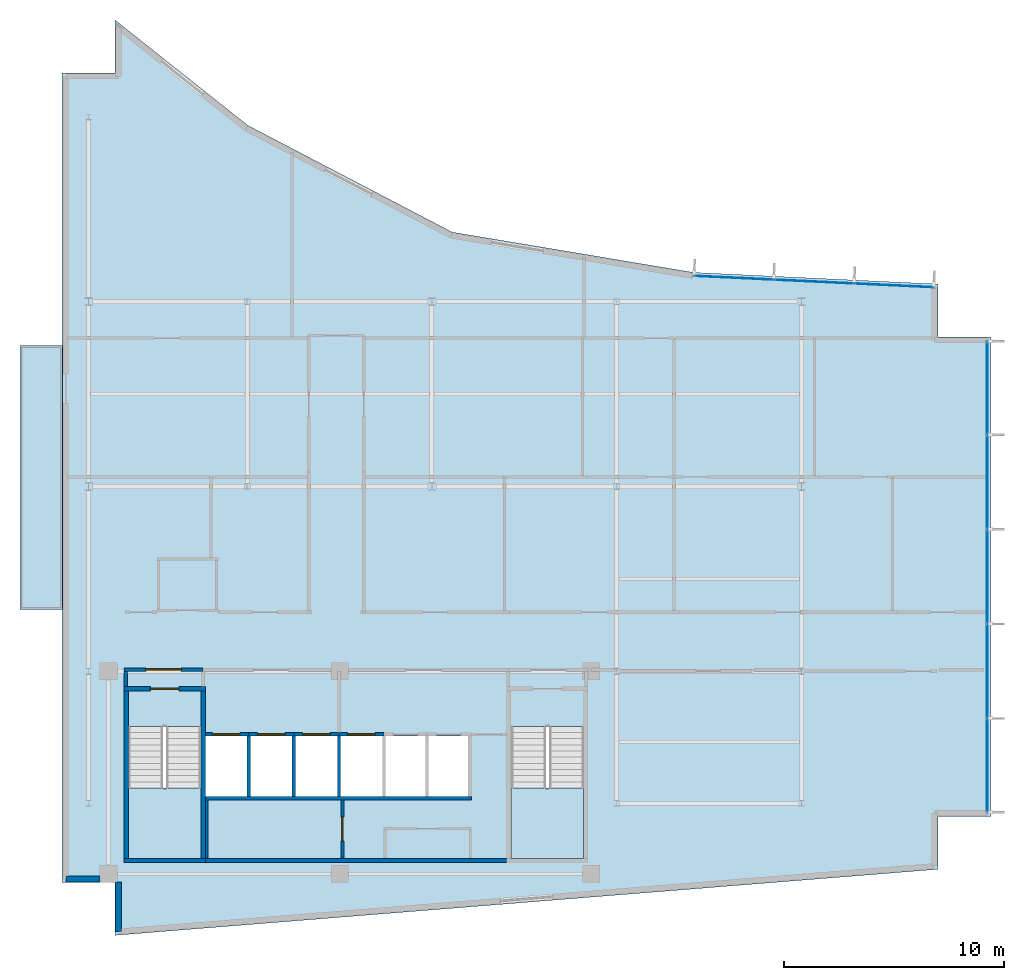
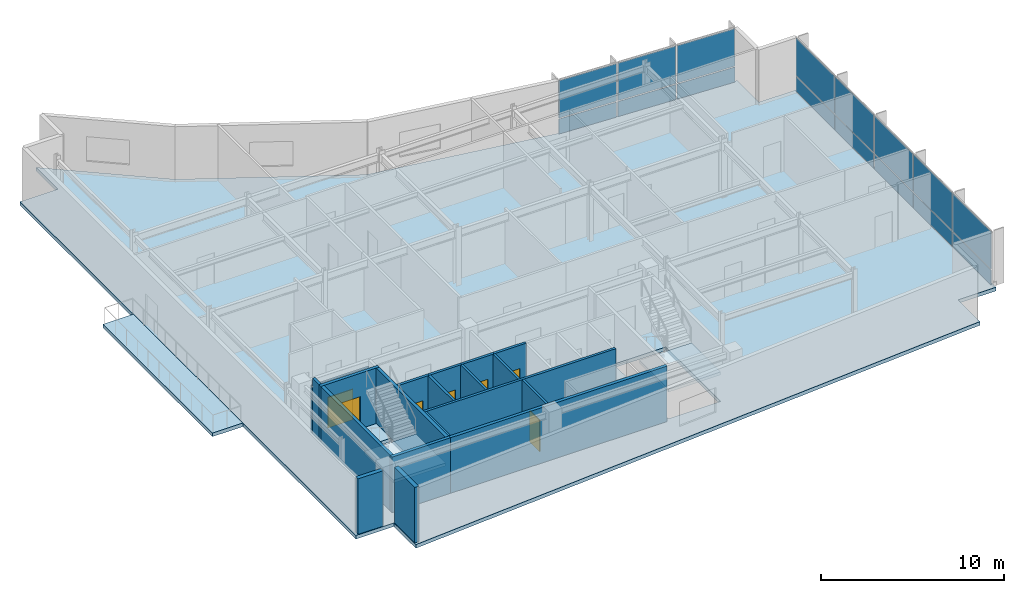
# One storey, part 10 of 16: 19 walls, 16 plates, 7 doors, 4 slabs, 7 openings, 4 elements without a shape of their own.
"""IFC4 building model written with IfcOpenShell, lengths in metres."""

from ifc_helpers import new_model, si_unit, direction, frame, frame_2d, origin, origin_2d, place, context, subcontext, project, spatial, polyline, rectangle, outline, extrude, material, layer, layer_set, type_object, element, fill, aggregate, save


model = new_model("IFC4")

# Units and contexts
model_context = context("Model", 3, precision=1e-05, world=origin(), true_north=direction((0.0, 1.0)))
body_context = subcontext(model_context, "Body", "Model", "MODEL_VIEW")
ifc_project = project(units=[si_unit("LENGTHUNIT", "METRE"), si_unit("AREAUNIT", "SQUARE_METRE"), si_unit("VOLUMEUNIT", "CUBIC_METRE"), si_unit("PLANEANGLEUNIT", "RADIAN"), si_unit("MASSUNIT", "GRAM", prefix="KILO")], contexts=[model_context])

# Site, building, storey
site_placement = place(None, origin())
site = spatial("IfcSite", under=ifc_project, at=site_placement, CompositionType="ELEMENT")
building_placement = place(site_placement, origin())
building = spatial("IfcBuilding", under=site, at=building_placement, Name="Varnakote Quay Hospital", CompositionType="ELEMENT")
storey_placement = place(building_placement, frame((0.0, 0.0, 268.39990234375)))
storey = spatial("IfcBuildingStorey", under=building, at=storey_placement, Name="L66", CompositionType="ELEMENT", Elevation=268.39990234375)

# Curtain wall, plates
ifc_material_1 = material(Name="Anodised aluminium 6063-T6 Bronze", Category="aluminium")
ifc_layer_1 = layer(ifc_material_1, 0.235107421875)
ifc_layer_set_1 = layer_set([ifc_layer_1], Name="Anodised aluminium 6063-T6 Bronze")
curtain_wall_type = type_object("IfcCurtainWallType", Name="CW-SYS-5", PredefinedType="NOTDEFINED", material=ifc_layer_set_1)
curtain_wall_1_placement = place(storey_placement, origin())
curtain_wall_1 = element("IfcCurtainWall", 1, at=curtain_wall_1_placement, inside=storey, type_object=curtain_wall_type, Name="L66 Unitised Bronze Curtain Wall 1", PredefinedType="NOTDEFINED")
ifc_material_2 = material(Name="Double-glazed low-E solar glass", Category="glass")
ifc_layer_2 = layer(ifc_material_2, 0.028076171875)
ifc_layer_set_2 = layer_set([ifc_layer_2], Name="Double-glazed low-E solar glass")
plate_type = type_object("IfcPlateType", Name="CW-PNL-GLZ-28", PredefinedType="CURTAIN_PANEL", material=ifc_layer_set_2)
plate_1_placement = place(storey_placement, frame((42.0400390625, 7.724365234375, 0.065185546875), z_axis=(0.0, 0.0, 1.0), x_axis=(0.0, 1.0, 0.0)))
plate_1 = element("IfcPlate", 2, at=plate_1_placement, type_object=plate_type, Name="-5-L66-1 panel 1.1", PredefinedType="CURTAIN_PANEL", context=body_context, shape_type="SweptSolid", body=[
    extrude(rectangle(XDim=4.198486328125, YDim=0.028076171875, at=origin_2d()), origin(), (0.0, 0.0, 1.0), 1.00244140625),
])
plate_2_placement = place(storey_placement, frame((42.0400390625, 7.724365234375, 1.1328125), z_axis=(0.0, 0.0, 1.0), x_axis=(0.0, 1.0, 0.0)))
plate_2 = element("IfcPlate", 3, at=plate_2_placement, type_object=plate_type, Name="-5-L66-1 panel 1.2", PredefinedType="CURTAIN_PANEL", context=body_context, shape_type="SweptSolid", body=[
    extrude(rectangle(XDim=4.198486328125, YDim=0.028076171875, at=origin_2d()), origin(), (0.0, 0.0, 1.0), 2.512451171875),
])
plate_3_placement = place(storey_placement, frame((42.0400390625, 12.00390625, 0.065185546875), z_axis=(0.0, 0.0, 1.0), x_axis=(0.0, 1.0, 0.0)))
plate_3 = element("IfcPlate", 4, at=plate_3_placement, type_object=plate_type, Name="-5-L66-1 panel 2.1", PredefinedType="CURTAIN_PANEL", context=body_context, shape_type="SweptSolid", body=[
    extrude(rectangle(XDim=4.23095703125, YDim=0.028076171875, at=origin_2d()), origin(), (0.0, 0.0, 1.0), 1.00244140625),
])
plate_4_placement = place(storey_placement, frame((42.0400390625, 12.00390625, 1.1328125), z_axis=(0.0, 0.0, 1.0), x_axis=(0.0, 1.0, 0.0)))
plate_4 = element("IfcPlate", 5, at=plate_4_placement, type_object=plate_type, Name="-5-L66-1 panel 2.2", PredefinedType="CURTAIN_PANEL", context=body_context, shape_type="SweptSolid", body=[
    extrude(rectangle(XDim=4.23095703125, YDim=0.028076171875, at=origin_2d()), origin(), (0.0, 0.0, 1.0), 2.512451171875),
])
plate_5_placement = place(storey_placement, frame((42.0400390625, 16.300048828125, 0.065185546875), z_axis=(0.0, 0.0, 1.0), x_axis=(0.0, 1.0, 0.0)))
plate_5 = element("IfcPlate", 6, at=plate_5_placement, type_object=plate_type, Name="-5-L66-1 panel 3.1", PredefinedType="CURTAIN_PANEL", context=body_context, shape_type="SweptSolid", body=[
    extrude(rectangle(XDim=4.23095703125, YDim=0.028076171875, at=origin_2d()), origin(), (0.0, 0.0, 1.0), 1.00244140625),
])
plate_6_placement = place(storey_placement, frame((42.0400390625, 16.300048828125, 1.1328125), z_axis=(0.0, 0.0, 1.0), x_axis=(0.0, 1.0, 0.0)))
plate_6 = element("IfcPlate", 7, at=plate_6_placement, type_object=plate_type, Name="-5-L66-1 panel 3.2", PredefinedType="CURTAIN_PANEL", context=body_context, shape_type="SweptSolid", body=[
    extrude(rectangle(XDim=4.23095703125, YDim=0.028076171875, at=origin_2d()), origin(), (0.0, 0.0, 1.0), 2.512451171875),
])
plate_7_placement = place(storey_placement, frame((42.0400390625, 20.595947265625, 0.065185546875), z_axis=(0.0, 0.0, 1.0), x_axis=(0.0, 1.0, 0.0)))
plate_7 = element("IfcPlate", 8, at=plate_7_placement, type_object=plate_type, Name="-5-L66-1 panel 4.1", PredefinedType="CURTAIN_PANEL", context=body_context, shape_type="SweptSolid", body=[
    extrude(rectangle(XDim=4.23095703125, YDim=0.028076171875, at=origin_2d()), origin(), (0.0, 0.0, 1.0), 1.00244140625),
])
plate_8_placement = place(storey_placement, frame((42.0400390625, 20.595947265625, 1.1328125), z_axis=(0.0, 0.0, 1.0), x_axis=(0.0, 1.0, 0.0)))
plate_8 = element("IfcPlate", 9, at=plate_8_placement, type_object=plate_type, Name="-5-L66-1 panel 4.2", PredefinedType="CURTAIN_PANEL", context=body_context, shape_type="SweptSolid", body=[
    extrude(rectangle(XDim=4.23095703125, YDim=0.028076171875, at=origin_2d()), origin(), (0.0, 0.0, 1.0), 2.512451171875),
])
plate_9_placement = place(storey_placement, frame((42.0400390625, 24.875732421875, 0.065185546875), z_axis=(0.0, 0.0, 1.0), x_axis=(0.0, 1.0, 0.0)))
plate_9 = element("IfcPlate", 10, at=plate_9_placement, type_object=plate_type, Name="-5-L66-1 panel 5.1", PredefinedType="CURTAIN_PANEL", context=body_context, shape_type="SweptSolid", body=[
    extrude(rectangle(XDim=4.198486328125, YDim=0.028076171875, at=origin_2d()), origin(), (0.0, 0.0, 1.0), 1.00244140625),
])
plate_10_placement = place(storey_placement, frame((42.0400390625, 24.875732421875, 1.1328125), z_axis=(0.0, 0.0, 1.0), x_axis=(0.0, 1.0, 0.0)))
plate_10 = element("IfcPlate", 11, at=plate_10_placement, type_object=plate_type, Name="-5-L66-1 panel 5.2", PredefinedType="CURTAIN_PANEL", context=body_context, shape_type="SweptSolid", body=[
    extrude(rectangle(XDim=4.198486328125, YDim=0.028076171875, at=origin_2d()), origin(), (0.0, 0.0, 1.0), 2.512451171875),
])
aggregate(curtain_wall_1, [plate_1, plate_2, plate_3, plate_4, plate_5, plate_6, plate_7, plate_8, plate_9, plate_10])

curtain_wall_2_placement = place(storey_placement, origin())
curtain_wall_2 = element("IfcCurtainWall", 12, at=curtain_wall_2_placement, inside=storey, type_object=curtain_wall_type, Name="L66 Unitised Bronze Curtain Wall 2", PredefinedType="NOTDEFINED")
plate_11_placement = place(storey_placement, frame((37.796875, 29.53515625, 0.065185546875), z_axis=(0.0, 0.0, 1.0), x_axis=(-0.998871392955, 0.04749674026, 0.0)))
plate_11 = element("IfcPlate", 13, at=plate_11_placement, type_object=plate_type, Name="-5-L66-2 panel 1.1", PredefinedType="CURTAIN_PANEL", context=body_context, shape_type="SweptSolid", body=[
    extrude(rectangle(XDim=3.560302734375, YDim=0.028076171875, at=origin_2d()), origin(), (0.0, 0.0, 1.0), 1.00244140625),
])
plate_12_placement = place(storey_placement, frame((37.796875, 29.53515625, 1.1328125), z_axis=(0.0, 0.0, 1.0), x_axis=(-0.998871392955, 0.04749674026, 0.0)))
plate_12 = element("IfcPlate", 14, at=plate_12_placement, type_object=plate_type, Name="-5-L66-2 panel 1.2", PredefinedType="CURTAIN_PANEL", context=body_context, shape_type="SweptSolid", body=[
    extrude(rectangle(XDim=3.560302734375, YDim=0.028076171875, at=origin_2d()), origin(), (0.0, 0.0, 1.0), 2.512451171875),
])
plate_13_placement = place(storey_placement, frame((34.159423828125, 29.7080078125, 0.065185546875), z_axis=(0.0, 0.0, 1.0), x_axis=(-0.998871392955, 0.04749674026, 0.0)))
plate_13 = element("IfcPlate", 15, at=plate_13_placement, type_object=plate_type, Name="-5-L66-2 panel 2.1", PredefinedType="CURTAIN_PANEL", context=body_context, shape_type="SweptSolid", body=[
    extrude(rectangle(XDim=3.5927734375, YDim=0.028076171875, at=origin_2d()), origin(), (0.0, 0.0, 1.0), 1.00244140625),
])
plate_14_placement = place(storey_placement, frame((34.159423828125, 29.7080078125, 1.1328125), z_axis=(0.0, 0.0, 1.0), x_axis=(-0.998871392955, 0.04749674026, 0.0)))
plate_14 = element("IfcPlate", 16, at=plate_14_placement, type_object=plate_type, Name="-5-L66-2 panel 2.2", PredefinedType="CURTAIN_PANEL", context=body_context, shape_type="SweptSolid", body=[
    extrude(rectangle(XDim=3.5927734375, YDim=0.028076171875, at=origin_2d()), origin(), (0.0, 0.0, 1.0), 2.512451171875),
])
plate_15_placement = place(storey_placement, frame((30.52197265625, 29.880859375, 0.065185546875), z_axis=(0.0, 0.0, 1.0), x_axis=(-0.998871392955, 0.04749674026, 0.0)))
plate_15 = element("IfcPlate", 17, at=plate_15_placement, type_object=plate_type, Name="-5-L66-2 panel 3.1", PredefinedType="CURTAIN_PANEL", context=body_context, shape_type="SweptSolid", body=[
    extrude(rectangle(XDim=3.560302734375, YDim=0.028076171875, at=origin_2d()), origin(), (0.0, 0.0, 1.0), 1.00244140625),
])
plate_16_placement = place(storey_placement, frame((30.52197265625, 29.880859375, 1.1328125), z_axis=(0.0, 0.0, 1.0), x_axis=(-0.998871392955, 0.04749674026, 0.0)))
plate_16 = element("IfcPlate", 18, at=plate_16_placement, type_object=plate_type, Name="-5-L66-2 panel 3.2", PredefinedType="CURTAIN_PANEL", context=body_context, shape_type="SweptSolid", body=[
    extrude(rectangle(XDim=3.560302734375, YDim=0.028076171875, at=origin_2d()), origin(), (0.0, 0.0, 1.0), 2.512451171875),
])
aggregate(curtain_wall_2, [plate_11, plate_12, plate_13, plate_14, plate_15, plate_16])

# Stair, slab
ifc_material_3 = material(Name="Concrete N40 (f'c 40 MPa)", Category="concrete")
stair_type = type_object("IfcStairType", Name="STR-CORE-1580", PredefinedType="HALF_TURN_STAIR", material=ifc_material_3)
stair_1_placement = place(storey_placement, origin())
stair_1 = element("IfcStair", 19, at=stair_1_placement, inside=storey, type_object=stair_type, Name="L66 Fire-Isolated Exit Stair ST-01", PredefinedType="HALF_TURN_STAIR")
ifc_material_4 = material(Name="Concrete N40 (f'c 40 MPa)", Category="concrete")
ifc_layer_3 = layer(ifc_material_4, 0.199951171875)
ifc_layer_set_3 = layer_set([ifc_layer_3], Name="Concrete N40 (f'c 40 MPa)")
slab_type_1 = type_object("IfcSlabType", Name="SLB-STAIR-LND-200", PredefinedType="LANDING", material=ifc_layer_set_3)
slab_1_placement = place(storey_placement, frame((0.0, 0.0, 1.775146484375)))
slab_1 = element("IfcSlab", 20, at=slab_1_placement, type_object=slab_type_1, Name="ST-01 landing 1", PredefinedType="LANDING", context=body_context, shape_type="SweptSolid", body=[
    extrude(outline(polyline([(3.0, 6.699951171875), (3.0, 3.5), (6.300048828125, 3.5), (6.300048828125, 6.699951171875), (3.0, 6.699951171875)])), origin(), (0.0, 0.0, 1.0), 0.199951171875),
])
aggregate(stair_1, [slab_1])

stair_2_placement = place(storey_placement, origin())
stair_2 = element("IfcStair", 21, at=stair_2_placement, inside=storey, type_object=stair_type, Name="L66 Fire-Isolated Exit Stair ST-02", PredefinedType="HALF_TURN_STAIR")
slab_2_placement = place(storey_placement, frame((0.0, 0.0, 1.775146484375)))
slab_2 = element("IfcSlab", 22, at=slab_2_placement, type_object=slab_type_1, Name="ST-02 landing 1", PredefinedType="LANDING", context=body_context, shape_type="SweptSolid", body=[
    extrude(outline(polyline([(20.39990234375, 6.699951171875), (20.39990234375, 3.5), (23.699951171875, 3.5), (23.699951171875, 6.699951171875), (20.39990234375, 6.699951171875)])), origin(), (0.0, 0.0, 1.0), 0.199951171875),
])
aggregate(stair_2, [slab_2])

# Slabs
ifc_material_5 = material(Name="Concrete N50 (f'c 50 MPa)", Category="concrete")
ifc_layer_4 = layer(ifc_material_5, 0.239990234375)
ifc_layer_set_4 = layer_set([ifc_layer_4], Name="Concrete N50 (f'c 50 MPa)")
slab_type_2 = type_object("IfcSlabType", Name="SLB-TERR-200", PredefinedType="FLOOR", material=ifc_layer_set_4)
slab_3_placement = place(storey_placement, frame((0.0, 0.0, -0.239990234375)))
element("IfcSlab", 23, at=slab_3_placement, inside=storey, type_object=slab_type_2, Name="L66 Waterfront Healing Terrace Slab", PredefinedType="FLOOR", context=body_context, shape_type="SweptSolid", body=[
    extrude(outline(polyline([(0.00390625, 14.800048828125), (0.00390625, 26.800048828125), (-1.919921875, 26.800048828125), (-1.919921875, 14.800048828125), (0.00390625, 14.800048828125)])), origin(), (0.0, 0.0, 1.0), 0.239990234375),
])
ifc_material_6 = material(Name="Concrete N50 (f'c 50 MPa)", Category="concrete")
ifc_layer_5 = layer(ifc_material_6, 0.239990234375)
ifc_layer_set_5 = layer_set([ifc_layer_5], Name="Concrete N50 (f'c 50 MPa)")
slab_type_3 = type_object("IfcSlabType", Name="SLB-WARD-200", PredefinedType="FLOOR", material=ifc_layer_set_5)
slab_4_placement = place(storey_placement, frame((0.0, 0.0, -0.239990234375)))
element("IfcSlab", 24, at=slab_4_placement, inside=storey, type_object=slab_type_3, Name="L66 Primary Floor Slab", PredefinedType="FLOOR", context=body_context, shape_type="SweptSolid", body=[
    extrude(outline(polyline([(0.0, 2.39990234375), (2.39990234375, 2.39990234375), (2.39990234375, 0.0), (39.800048828125, 3.0), (39.800048828125, 5.39990234375), (42.199951171875, 5.39990234375), (42.199951171875, 27.199951171875), (39.800048828125, 27.199951171875), (39.800048828125, 29.60009765625), (28.696044921875, 30.1279296875), (17.72412109375, 31.9599609375), (8.43994140625, 36.80810546875), (2.39990234375, 41.60009765625), (2.39990234375, 39.199951171875), (0.0, 39.199951171875), (0.0, 2.39990234375)]), holes=[polyline([(3.0, 3.5), (6.300048828125, 3.5), (6.300048828125, 9.49951171875), (3.0, 9.49951171875), (3.0, 3.5)]), polyline([(20.39990234375, 3.5), (23.699951171875, 3.5), (23.699951171875, 9.49951171875), (20.39990234375, 9.49951171875), (20.39990234375, 3.5)]), polyline([(6.5, 6.300048828125), (8.39990234375, 6.300048828125), (8.39990234375, 9.050048828125), (6.5, 9.050048828125), (6.5, 6.300048828125)]), polyline([(8.550048828125, 6.300048828125), (10.449951171875, 6.300048828125), (10.449951171875, 9.050048828125), (8.550048828125, 9.050048828125), (8.550048828125, 6.300048828125)]), polyline([(10.60009765625, 6.300048828125), (12.5, 6.300048828125), (12.5, 9.050048828125), (10.60009765625, 9.050048828125), (10.60009765625, 6.300048828125)]), polyline([(12.64990234375, 6.300048828125), (14.550048828125, 6.300048828125), (14.550048828125, 9.050048828125), (12.64990234375, 9.050048828125), (12.64990234375, 6.300048828125)]), polyline([(14.699951171875, 6.300048828125), (16.5, 6.300048828125), (16.5, 9.050048828125), (14.699951171875, 9.050048828125), (14.699951171875, 6.300048828125)]), polyline([(16.64990234375, 6.300048828125), (18.449951171875, 6.300048828125), (18.449951171875, 9.050048828125), (16.64990234375, 9.050048828125), (16.64990234375, 6.300048828125)])]), origin(), (0.0, 0.0, 1.0), 0.239990234375),
])

# Wall
ifc_material_7 = material(Name="Fire-rated acoustic gypsum stud wall", Category="gypsum")
ifc_layer_6 = layer(ifc_material_7, 0.159912109375)
ifc_layer_set_6 = layer_set([ifc_layer_6], Name="Fire-rated acoustic gypsum stud wall")
wall_type_1 = type_object("IfcWallType", Name="WL-COMP-160", PredefinedType="PARTITIONING", material=ifc_layer_set_6)
wall_1_placement = place(storey_placement, frame((2.8798828125, 11.300048828125, 0.0), z_axis=(0.0, 0.0, 1.0), x_axis=(0.0, 1.0, 0.0)))
element("IfcWall", 25, at=wall_1_placement, inside=storey, type_object=wall_type_1, Name="L66 West Stair Vestibule West Wall", PredefinedType="PARTITIONING", context=body_context, shape_type="SweptSolid", body=[
    extrude(rectangle(XDim=0.699951171875, YDim=0.159912109375, at=frame_2d((0.35009765625, 0.0))), origin(), (0.0, 0.0, 1.0), 3.710205078125),
])

# Wall, opening, door
wall_2_placement = place(storey_placement, frame((2.800048828125, 12.080078125, 0.0), z_axis=(0.0, 0.0, 1.0), x_axis=(1.0, 0.0, 0.0)))
wall_2 = element("IfcWall", 26, at=wall_2_placement, inside=storey, type_object=wall_type_1, Name="L66 West Stair Vestibule Smoke Wall", PredefinedType="PARTITIONING", context=body_context, shape_type="SweptSolid", body=[
    extrude(rectangle(XDim=3.599853515625, YDim=0.159912109375, at=frame_2d((1.7998046875, 0.0))), origin(), (0.0, 0.0, 1.0), 3.156982421875),
])
opening_1_placement = place(wall_2_placement, frame((1.0, 0.0, 0.0)))
opening_1 = element("IfcOpeningElement", 27, at=opening_1_placement, cuts=wall_2, Name="Opening D-ST1L-L66", PredefinedType="OPENING", context=body_context, shape_type="SweptSolid", body=[
    extrude(rectangle(XDim=1.60009765625, YDim=2.050048828125, at=frame_2d((0.800048828125, 1.02490234375))), frame((0.0, 0.08984375, 0.0), z_axis=(0.0, -1.0, 0.0), x_axis=(1.0, 0.0, 0.0)), (0.0, 0.0, 1.0), 0.179931640625),
])
ifc_material_8 = material(Name="Fire-rated double smoke lobby door")
door_type_1 = type_object("IfcDoorType", Name="DR-LOBBY-FD60S-1600x2150", OperationType="NOTDEFINED", PredefinedType="DOOR", material=ifc_material_8)
door_1_placement = place(opening_1_placement, origin())
door_1 = element("IfcDoor", 28, at=door_1_placement, inside=storey, type_object=door_type_1, Name="L66 West Stair Vestibule Smoke Door", OperationType="DOUBLE_DOOR_SINGLE_SWING", OverallHeight=2.050048828125, OverallWidth=1.60009765625, PredefinedType="DOOR", context=body_context, shape_type="SweptSolid", body=[
    extrude(rectangle(XDim=1.60009765625, YDim=2.050048828125, at=frame_2d((0.800048828125, 1.02490234375))), frame((0.0, 0.02490234375, 0.0), z_axis=(0.0, -1.0, 0.0), x_axis=(1.0, 0.0, 0.0)), (0.0, 0.0, 1.0), 0.050048828125),
])
fill(opening_1, door_1)

# Walls
ifc_material_9 = material(Name="Concrete N50 (f'c 50 MPa)", Category="concrete")
ifc_layer_7 = layer(ifc_material_9, 0.199951171875)
ifc_layer_set_7 = layer_set([ifc_layer_7], Name="Concrete N50 (f'c 50 MPa)")
wall_type_2 = type_object("IfcWallType", Name="WL-CORE-N50-200", PredefinedType="SHEAR", material=ifc_layer_set_7)
wall_3_placement = place(storey_placement, frame((6.5, 3.39990234375, 0.0), z_axis=(0.0, 0.0, 1.0), x_axis=(1.0, 0.0, 0.0)))
element("IfcWall", 29, at=wall_3_placement, inside=storey, type_object=wall_type_2, Name="L66 Rear Core South Shear Wall", PredefinedType="SHEAR", context=body_context, shape_type="SweptSolid", body=[
    extrude(rectangle(XDim=13.699951171875, YDim=0.199951171875, at=frame_2d((6.85009765625, 0.0))), origin(), (0.0, 0.0, 1.0), 3.710205078125),
])
ifc_material_10 = material(Name="Precast concrete N50 (f'c 50 MPa)", Category="concrete")
ifc_layer_8 = layer(ifc_material_10, 0.260009765625)
ifc_layer_set_8 = layer_set([ifc_layer_8], Name="Precast concrete N50 (f'c 50 MPa)")
wall_type_3 = type_object("IfcWallType", Name="WL-EXT-BRICK-260", PredefinedType="STANDARD", material=ifc_layer_set_8)
wall_4_placement = place(storey_placement, frame((2.56005859375, 2.4150390625, 0.0), z_axis=(0.0, 0.0, 1.0), x_axis=(0.0, -1.0, 0.0)))
element("IfcWall", 30, at=wall_4_placement, inside=storey, type_object=wall_type_3, Name="L66 Brick-Faced Precast Exterior Wall", PredefinedType="STANDARD", context=body_context, shape_type="SweptSolid", body=[
    extrude(rectangle(XDim=2.24169921875, YDim=0.260009765625, at=frame_2d((1.120849609375, 0.0))), origin(), (0.0, 0.0, 1.0), 3.710205078125),
])
wall_5_placement = place(storey_placement, frame((0.159912109375, 2.56005859375, 0.0), z_axis=(0.0, 0.0, 1.0), x_axis=(1.0, 0.0, 0.0)))
element("IfcWall", 31, at=wall_5_placement, inside=storey, type_object=wall_type_3, Name="L66 Brick-Faced Precast Exterior Wall", PredefinedType="STANDARD", context=body_context, shape_type="SweptSolid", body=[
    extrude(rectangle(XDim=1.55517578125, YDim=0.260009765625, at=frame_2d((0.777587890625, 0.0))), origin(), (0.0, 0.0, 1.0), 3.710205078125),
])
ifc_material_11 = material(Name="Concrete N50 (f'c 50 MPa)", Category="concrete")
ifc_layer_9 = layer(ifc_material_11, 0.14990234375)
ifc_layer_set_9 = layer_set([ifc_layer_9], Name="Concrete N50 (f'c 50 MPa)")
wall_type_4 = type_object("IfcWallType", Name="WL-SHAFT-N50-150", PredefinedType="SHEAR", material=ifc_layer_set_9)
for number, where, z_axis, x_axis, name in (
    (32, (8.47509765625, 6.300048828125, 0.0), (0.0, 0.0, 1.0), (0.0, 1.0, 0.0), "L66 LF-FF1 Hoistway Divider Wall"),
    (33, (10.52490234375, 6.300048828125, 0.0), (0.0, 0.0, 1.0), (0.0, 1.0, 0.0), "L66 LF-FF2 Hoistway Divider Wall"),
    (34, (12.574951171875, 6.300048828125, 0.0), (0.0, 0.0, 1.0), (0.0, 1.0, 0.0), "L66 LF-SV1 Hoistway Divider Wall"),
):
    element("IfcWall", number, at=place(storey_placement, frame(where, z_axis=z_axis, x_axis=x_axis)), inside=storey, type_object=wall_type_4, Name=name, PredefinedType="SHEAR", context=body_context, shape_type="SweptSolid", body=[
        extrude(rectangle(XDim=2.75, YDim=0.14990234375, at=frame_2d((1.375, 0.0))), origin(), (0.0, 0.0, 1.0), 3.710205078125),
    ])
ifc_material_12 = material(Name="Concrete N50 (f'c 50 MPa)", Category="concrete")
ifc_layer_10 = layer(ifc_material_12, 0.159912109375)
ifc_layer_set_10 = layer_set([ifc_layer_10], Name="Concrete N50 (f'c 50 MPa)")
wall_type_5 = type_object("IfcWallType", Name="WL-SHAFT-N50-160", PredefinedType="SHEAR", material=ifc_layer_set_10)
wall_6_placement = place(storey_placement, frame((6.5, 6.219970703125, 0.0), z_axis=(0.0, 0.0, 1.0), x_axis=(1.0, 0.0, 0.0)))
element("IfcWall", 35, at=wall_6_placement, inside=storey, type_object=wall_type_5, Name="L66 REAR Lift Bank Back Shear Wall", PredefinedType="SHEAR", context=body_context, shape_type="SweptSolid", body=[
    extrude(rectangle(XDim=12.110107421875, YDim=0.159912109375, at=frame_2d((6.05517578125, 0.0))), origin(), (0.0, 0.0, 1.0), 3.710205078125),
])

# Wall, opening, door
wall_7_placement = place(storey_placement, frame((6.5, 9.1298828125, 0.0), z_axis=(0.0, 0.0, 1.0), x_axis=(1.0, 0.0, 0.0)))
wall_7 = element("IfcWall", 36, at=wall_7_placement, inside=storey, type_object=wall_type_5, Name="L66 LF-FF1 Hoistway Front Wall", PredefinedType="SHEAR", context=body_context, shape_type="SweptSolid", body=[
    extrude(rectangle(XDim=1.97509765625, YDim=0.159912109375, at=frame_2d((0.987548828125, 0.0))), origin(), (0.0, 0.0, 1.0), 3.710205078125),
])
opening_2_placement = place(wall_7_placement, frame((0.324951171875, 0.0, 0.0)))
opening_2 = element("IfcOpeningElement", 37, at=opening_2_placement, cuts=wall_7, Name="Opening LD-FF1-L66", PredefinedType="OPENING", context=body_context, shape_type="SweptSolid", body=[
    extrude(rectangle(XDim=1.25, YDim=2.14990234375, at=frame_2d((0.625, 1.074951171875))), frame((0.0, 0.08984375, 0.0), z_axis=(0.0, -1.0, 0.0), x_axis=(1.0, 0.0, 0.0)), (0.0, 0.0, 1.0), 0.179931640625),
])
ifc_material_13 = material(Name="Stainless steel lift landing sliding door", Category="steel")
door_type_2 = type_object("IfcDoorType", Name="DR-LIFT-LD-1250x2150", OperationType="NOTDEFINED", PredefinedType="DOOR", material=ifc_material_13)
door_2_placement = place(opening_2_placement, origin())
door_2 = element("IfcDoor", 38, at=door_2_placement, inside=storey, type_object=door_type_2, Name="L66 LF-FF1 Lift Landing Sliding Door", OperationType="SLIDING_TO_LEFT", OverallHeight=2.14990234375, OverallWidth=1.25, PredefinedType="DOOR", context=body_context, shape_type="SweptSolid", body=[
    extrude(rectangle(XDim=1.25, YDim=2.14990234375, at=frame_2d((0.625, 1.074951171875))), frame((0.0, 0.02490234375, 0.0), z_axis=(0.0, -1.0, 0.0), x_axis=(1.0, 0.0, 0.0)), (0.0, 0.0, 1.0), 0.050048828125),
])
fill(opening_2, door_2)

wall_8_placement = place(storey_placement, frame((8.47509765625, 9.1298828125, 0.0), z_axis=(0.0, 0.0, 1.0), x_axis=(1.0, 0.0, 0.0)))
wall_8 = element("IfcWall", 39, at=wall_8_placement, inside=storey, type_object=wall_type_5, Name="L66 LF-FF2 Hoistway Front Wall", PredefinedType="SHEAR", context=body_context, shape_type="SweptSolid", body=[
    extrude(rectangle(XDim=2.0498046875, YDim=0.159912109375, at=frame_2d((1.02490234375, 0.0))), origin(), (0.0, 0.0, 1.0), 3.710205078125),
])
opening_3_placement = place(wall_8_placement, frame((0.39990234375, 0.0, 0.0)))
opening_3 = element("IfcOpeningElement", 40, at=opening_3_placement, cuts=wall_8, Name="Opening LD-FF2-L66", PredefinedType="OPENING", context=body_context, shape_type="SweptSolid", body=[
    extrude(rectangle(XDim=1.25, YDim=2.14990234375, at=frame_2d((0.625, 1.074951171875))), frame((0.0, 0.08984375, 0.0), z_axis=(0.0, -1.0, 0.0), x_axis=(1.0, 0.0, 0.0)), (0.0, 0.0, 1.0), 0.179931640625),
])
door_3_placement = place(opening_3_placement, origin())
door_3 = element("IfcDoor", 41, at=door_3_placement, inside=storey, type_object=door_type_2, Name="L66 LF-FF2 Lift Landing Sliding Door", OperationType="SLIDING_TO_LEFT", OverallHeight=2.14990234375, OverallWidth=1.25, PredefinedType="DOOR", context=body_context, shape_type="SweptSolid", body=[
    extrude(rectangle(XDim=1.25, YDim=2.14990234375, at=frame_2d((0.625, 1.074951171875))), frame((0.0, 0.02490234375, 0.0), z_axis=(0.0, -1.0, 0.0), x_axis=(1.0, 0.0, 0.0)), (0.0, 0.0, 1.0), 0.050048828125),
])
fill(opening_3, door_3)

wall_9_placement = place(storey_placement, frame((10.52490234375, 9.1298828125, 0.0), z_axis=(0.0, 0.0, 1.0), x_axis=(1.0, 0.0, 0.0)))
wall_9 = element("IfcWall", 42, at=wall_9_placement, inside=storey, type_object=wall_type_5, Name="L66 LF-SV1 Hoistway Front Wall", PredefinedType="SHEAR", context=body_context, shape_type="SweptSolid", body=[
    extrude(rectangle(XDim=2.050048828125, YDim=0.159912109375, at=frame_2d((1.02490234375, 0.0))), origin(), (0.0, 0.0, 1.0), 3.710205078125),
])
opening_4_placement = place(wall_9_placement, frame((0.39990234375, 0.0, 0.0)))
opening_4 = element("IfcOpeningElement", 43, at=opening_4_placement, cuts=wall_9, Name="Opening LD-SV1-L66", PredefinedType="OPENING", context=body_context, shape_type="SweptSolid", body=[
    extrude(rectangle(XDim=1.25, YDim=2.14990234375, at=frame_2d((0.625, 1.074951171875))), frame((0.0, 0.08984375, 0.0), z_axis=(0.0, -1.0, 0.0), x_axis=(1.0, 0.0, 0.0)), (0.0, 0.0, 1.0), 0.179931640625),
])
door_4_placement = place(opening_4_placement, origin())
door_4 = element("IfcDoor", 44, at=door_4_placement, inside=storey, type_object=door_type_2, Name="L66 LF-SV1 Lift Landing Sliding Door", OperationType="SLIDING_TO_LEFT", OverallHeight=2.14990234375, OverallWidth=1.25, PredefinedType="DOOR", context=body_context, shape_type="SweptSolid", body=[
    extrude(rectangle(XDim=1.25, YDim=2.14990234375, at=frame_2d((0.625, 1.074951171875))), frame((0.0, 0.02490234375, 0.0), z_axis=(0.0, -1.0, 0.0), x_axis=(1.0, 0.0, 0.0)), (0.0, 0.0, 1.0), 0.050048828125),
])
fill(opening_4, door_4)

wall_10_placement = place(storey_placement, frame((12.574951171875, 9.1298828125, 0.0), z_axis=(0.0, 0.0, 1.0), x_axis=(1.0, 0.0, 0.0)))
wall_10 = element("IfcWall", 45, at=wall_10_placement, inside=storey, type_object=wall_type_5, Name="L66 LF-SV2 Hoistway Front Wall", PredefinedType="SHEAR", context=body_context, shape_type="SweptSolid", body=[
    extrude(rectangle(XDim=2.050048828125, YDim=0.159912109375, at=frame_2d((1.02490234375, 0.0))), origin(), (0.0, 0.0, 1.0), 3.710205078125),
])
opening_5_placement = place(wall_10_placement, frame((0.39990234375, 0.0, 0.0)))
opening_5 = element("IfcOpeningElement", 46, at=opening_5_placement, cuts=wall_10, Name="Opening LD-SV2-L66", PredefinedType="OPENING", context=body_context, shape_type="SweptSolid", body=[
    extrude(rectangle(XDim=1.25, YDim=2.14990234375, at=frame_2d((0.625, 1.074951171875))), frame((0.0, 0.08984375, 0.0), z_axis=(0.0, -1.0, 0.0), x_axis=(1.0, 0.0, 0.0)), (0.0, 0.0, 1.0), 0.179931640625),
])
door_5_placement = place(opening_5_placement, origin())
door_5 = element("IfcDoor", 47, at=door_5_placement, inside=storey, type_object=door_type_2, Name="L66 LF-SV2 Lift Landing Sliding Door", OperationType="SLIDING_TO_LEFT", OverallHeight=2.14990234375, OverallWidth=1.25, PredefinedType="DOOR", context=body_context, shape_type="SweptSolid", body=[
    extrude(rectangle(XDim=1.25, YDim=2.14990234375, at=frame_2d((0.625, 1.074951171875))), frame((0.0, 0.02490234375, 0.0), z_axis=(0.0, -1.0, 0.0), x_axis=(1.0, 0.0, 0.0)), (0.0, 0.0, 1.0), 0.050048828125),
])
fill(opening_5, door_5)

# Walls
ifc_material_14 = material(Name="Concrete N50 (f'c 50 MPa)", Category="concrete")
ifc_layer_11 = layer(ifc_material_14, 0.199951171875)
ifc_layer_set_11 = layer_set([ifc_layer_11], Name="Concrete N50 (f'c 50 MPa)")
wall_type_6 = type_object("IfcWallType", Name="WL-SHAFT-N50-200", PredefinedType="SHEAR", material=ifc_layer_set_11)
wall_11_placement = place(storey_placement, frame((2.800048828125, 3.39990234375, 0.0), z_axis=(0.0, 0.0, 1.0), x_axis=(1.0, 0.0, 0.0)))
element("IfcWall", 48, at=wall_11_placement, inside=storey, type_object=wall_type_6, Name="L66 Stair ST1 South Shaft Wall", PredefinedType="SHEAR", context=body_context, shape_type="SweptSolid", body=[
    extrude(rectangle(XDim=3.699951171875, YDim=0.199951171875, at=frame_2d((1.85009765625, 0.0))), origin(), (0.0, 0.0, 1.0), 3.710205078125),
])
for number, where, z_axis, x_axis, name in (
    (49, (2.89990234375, 3.5, 0.0), (0.0, 0.0, 1.0), (0.0, 1.0, 0.0), "L66 Stair ST1 West Shaft Wall"),
    (50, (6.39990234375, 3.5, 0.0), (0.0, 0.0, 1.0), (0.0, 1.0, 0.0), "L66 Stair ST1 East Shaft Wall"),
):
    element("IfcWall", number, at=place(storey_placement, frame(where, z_axis=z_axis, x_axis=x_axis)), inside=storey, type_object=wall_type_6, Name=name, PredefinedType="SHEAR", context=body_context, shape_type="SweptSolid", body=[
        extrude(rectangle(XDim=7.60009765625, YDim=0.199951171875, at=frame_2d((3.800048828125, 0.0))), origin(), (0.0, 0.0, 1.0), 3.710205078125),
    ])

# Wall, opening, door
wall_12_placement = place(storey_placement, frame((2.800048828125, 11.199951171875, 0.0), z_axis=(0.0, 0.0, 1.0), x_axis=(1.0, 0.0, 0.0)))
wall_12 = element("IfcWall", 51, at=wall_12_placement, inside=storey, type_object=wall_type_6, Name="L66 Stair ST1 Exit Wall", PredefinedType="SHEAR", context=body_context, shape_type="SweptSolid", body=[
    extrude(rectangle(XDim=3.699951171875, YDim=0.199951171875, at=frame_2d((1.85009765625, 0.0))), origin(), (0.0, 0.0, 1.0), 3.710205078125),
])
opening_6_placement = place(wall_12_placement, frame((1.199951171875, 0.0, 0.0)))
opening_6 = element("IfcOpeningElement", 52, at=opening_6_placement, cuts=wall_12, Name="Opening D-ST1-L66", PredefinedType="OPENING", context=body_context, shape_type="SweptSolid", body=[
    extrude(rectangle(XDim=1.300048828125, YDim=2.14990234375, at=frame_2d((0.64990234375, 1.074951171875))), frame((0.0, 0.10986328125, 0.0), z_axis=(0.0, -1.0, 0.0), x_axis=(1.0, 0.0, 0.0)), (0.0, 0.0, 1.0), 0.219970703125),
])
ifc_material_15 = material(Name="Fire-rated ceramic-glazed timber exit door", Category="wood")
door_type_3 = type_object("IfcDoorType", Name="DR-STAIR-FD60S-1300x2150", OperationType="NOTDEFINED", PredefinedType="DOOR", material=ifc_material_15)
door_6_placement = place(opening_6_placement, origin())
door_6 = element("IfcDoor", 53, at=door_6_placement, inside=storey, type_object=door_type_3, Name="L66 Stair ST1 Fire Exit Door", OperationType="SINGLE_SWING_LEFT", OverallHeight=2.14990234375, OverallWidth=1.300048828125, PredefinedType="DOOR", context=body_context, shape_type="SweptSolid", body=[
    extrude(rectangle(XDim=1.300048828125, YDim=2.14990234375, at=frame_2d((0.64990234375, 1.074951171875))), frame((0.0, 0.02490234375, 0.0), z_axis=(0.0, -1.0, 0.0), x_axis=(1.0, 0.0, 0.0)), (0.0, 0.0, 1.0), 0.050048828125),
])
fill(opening_6, door_6)

# Wall
ifc_material_16 = material(Name="Smoke-proof clinical partition", Category="gypsum")
ifc_layer_12 = layer(ifc_material_16, 0.1201171875)
ifc_layer_set_12 = layer_set([ifc_layer_12], Name="Smoke-proof clinical partition")
wall_type_7 = type_object("IfcWallType", Name="WL-SMOKE-120", PredefinedType="PARTITIONING", material=ifc_layer_set_12)
wall_13_placement = place(storey_placement, frame((6.56005859375, 3.52001953125, 0.0), z_axis=(0.0, 0.0, 1.0), x_axis=(0.0, 1.0, 0.0)))
element("IfcWall", 54, at=wall_13_placement, inside=storey, type_object=wall_type_7, Name="L66 Core West Store West Wall", PredefinedType="PARTITIONING", context=body_context, shape_type="SweptSolid", body=[
    extrude(rectangle(XDim=2.619873046875, YDim=0.1201171875, at=frame_2d((1.31005859375, 0.0))), origin(), (0.0, 0.0, 1.0), 3.710205078125),
])

# Wall, opening, door
ifc_material_17 = material(Name="Fire-rated clinical gypsum partition", Category="gypsum")
ifc_layer_13 = layer(ifc_material_17, 0.139892578125)
ifc_layer_set_13 = layer_set([ifc_layer_13], Name="Fire-rated clinical gypsum partition")
wall_type_8 = type_object("IfcWallType", Name="WL-WARD-140", PredefinedType="PARTITIONING", material=ifc_layer_set_13)
wall_14_placement = place(storey_placement, frame((12.72998046875, 3.52001953125, 0.0), z_axis=(0.0, 0.0, 1.0), x_axis=(0.0, 1.0, 0.0)))
wall_14 = element("IfcWall", 55, at=wall_14_placement, inside=storey, type_object=wall_type_8, Name="L66 Core Clean Equipment Store East Wall", PredefinedType="PARTITIONING", context=body_context, shape_type="SweptSolid", body=[
    extrude(rectangle(XDim=2.619873046875, YDim=0.139892578125, at=frame_2d((1.31005859375, 0.0))), origin(), (0.0, 0.0, 1.0), 3.710205078125),
])
opening_7_placement = place(wall_14_placement, frame((0.760009765625, 0.0, 0.0)))
opening_7 = element("IfcOpeningElement", 56, at=opening_7_placement, cuts=wall_14, Name="Opening D-L66-CR01", PredefinedType="OPENING", context=body_context, shape_type="SweptSolid", body=[
    extrude(rectangle(XDim=1.10009765625, YDim=2.10009765625, at=frame_2d((0.550048828125, 1.050048828125))), frame((0.0, 0.079833984375, 0.0), z_axis=(0.0, -1.0, 0.0), x_axis=(1.0, 0.0, 0.0)), (0.0, 0.0, 1.0), 0.159912109375),
])
ifc_material_18 = material(Name="Acoustic timber clinical consult door", Category="wood")
door_type_4 = type_object("IfcDoorType", Name="DR-CLIN-FD30S-1100x2100", OperationType="NOTDEFINED", PredefinedType="DOOR", material=ifc_material_18)
door_7_placement = place(opening_7_placement, origin())
door_7 = element("IfcDoor", 57, at=door_7_placement, inside=storey, type_object=door_type_4, Name="L66 Core Clean Equipment Store Door", OperationType="SINGLE_SWING_LEFT", OverallHeight=2.10009765625, OverallWidth=1.10009765625, PredefinedType="DOOR", context=body_context, shape_type="SweptSolid", body=[
    extrude(rectangle(XDim=1.10009765625, YDim=2.10009765625, at=frame_2d((0.550048828125, 1.050048828125))), frame((0.0, 0.02490234375, 0.0), z_axis=(0.0, -1.0, 0.0), x_axis=(1.0, 0.0, 0.0)), (0.0, 0.0, 1.0), 0.050048828125),
])
fill(opening_7, door_7)

save(model, "model.ifc")
